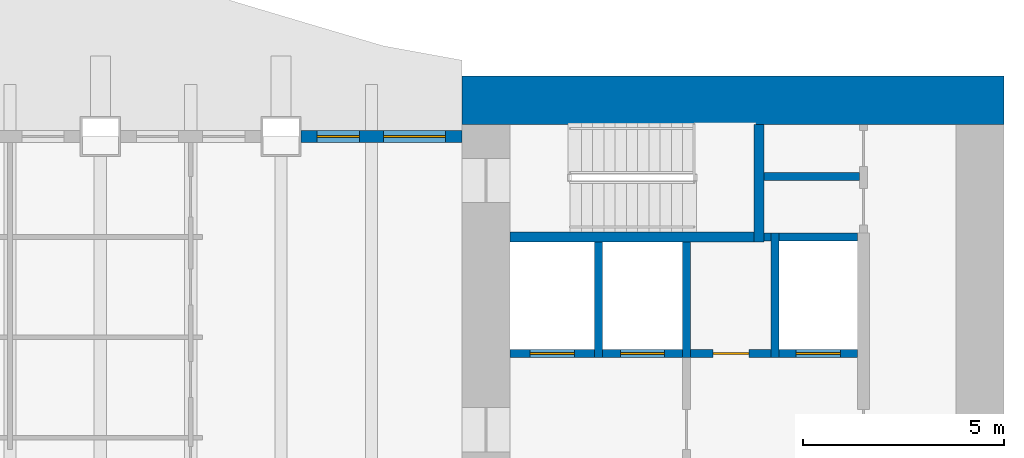
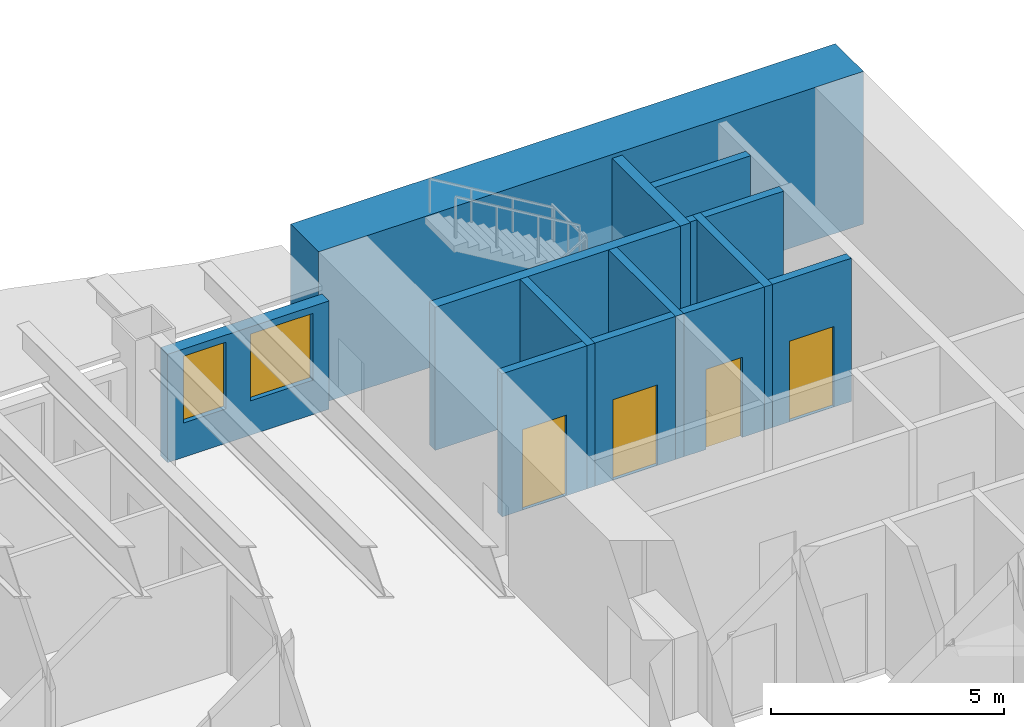
# One storey, part 7 of 16: 14 walls, 4 doors, 2 windows, 6 openings.
"""IFC4 building model written with IfcOpenShell, lengths in metres."""

from ifc_helpers import new_model, si_unit, direction, frame, frame_2d, origin, place, context, subcontext, project, spatial, rectangle, extrude, material, layer, layer_set, type_object, element, fill, save


model = new_model("IFC4")

# Units and contexts
model_context = context("Model", 3, precision=1e-05, world=origin(), true_north=direction((0.0, 1.0)))
body_context = subcontext(model_context, "Body", "Model", "MODEL_VIEW")
ifc_project = project(units=[si_unit("LENGTHUNIT", "METRE"), si_unit("AREAUNIT", "SQUARE_METRE"), si_unit("VOLUMEUNIT", "CUBIC_METRE"), si_unit("PLANEANGLEUNIT", "RADIAN"), si_unit("MASSUNIT", "GRAM", prefix="KILO")], contexts=[model_context])

# Site, building, storey
site_placement = place(None, origin())
site = spatial("IfcSite", under=ifc_project, at=site_placement, CompositionType="ELEMENT")
building_placement = place(site_placement, origin())
building = spatial("IfcBuilding", under=site, at=building_placement, Name="Sennacour Bend Tower", CompositionType="ELEMENT")
storey_placement = place(building_placement, frame((0.0, 0.0, 127.0)))
storey = spatial("IfcBuildingStorey", under=building, at=storey_placement, Name="L29", CompositionType="ELEMENT", Elevation=127.0)

# Wall
ifc_material_1 = material(Name="Concrete C80/95", Category="concrete")
ifc_layer_1 = layer(ifc_material_1, 1.199951171875, Name="Concrete C80/95", Category="concrete")
ifc_layer_set_1 = layer_set([ifc_layer_1], Name="Concrete C80/95")
wall_type_1 = type_object("IfcWallType", Name="Core wall 1200 C80/95", PredefinedType="SHEAR", material=ifc_layer_set_1)
wall_1_placement = place(storey_placement, frame((54.0, 21.89990234375, -0.14990234375), z_axis=(0.0, 0.0, 1.0), x_axis=(1.0, 0.0, 0.0)))
element("IfcWall", 1, at=wall_1_placement, inside=storey, type_object=wall_type_1, Name="Core A wall L29 N", PredefinedType="SHEAR", context=body_context, shape_type="SweptSolid", body=[
    extrude(rectangle(XDim=13.5, YDim=1.199951171875, at=frame_2d((6.75, 0.0))), origin(), (0.0, 0.0, 1.0), 4.0),
])

# Wall, opening, door
ifc_material_2 = material(Name="Fire-rated plasterboard partition on steel studs", Category="steel")
ifc_layer_2 = layer(ifc_material_2, 0.199951171875, Name="Fire-rated plasterboard partition on steel studs", Category="steel")
ifc_layer_set_2 = layer_set([ifc_layer_2], Name="Fire-rated plasterboard partition on steel studs")
wall_type_2 = type_object("IfcWallType", Name="Rated partition 200", PredefinedType="PARTITIONING", material=ifc_layer_set_2)
wall_2_placement = place(storey_placement, frame((59.699951171875, 15.60009765625, 0.0), z_axis=(0.0, 0.0, 1.0), x_axis=(1.0, 0.0, 0.0)))
wall_2 = element("IfcWall", 2, at=wall_2_placement, inside=storey, type_object=wall_type_2, Name="P-L29-W062", PredefinedType="PARTITIONING", context=body_context, shape_type="SweptSolid", body=[
    extrude(rectangle(XDim=2.0, YDim=0.199951171875, at=frame_2d((1.0, 0.0))), origin(), (0.0, 0.0, 1.0), 3.75),
])
opening_1_placement = place(wall_2_placement, frame((0.550048828125, 0.0, 0.0)))
opening_1 = element("IfcOpeningElement", 3, at=opening_1_placement, cuts=wall_2, Name="Opening SV", PredefinedType="OPENING", context=body_context, shape_type="SweptSolid", body=[
    extrude(rectangle(XDim=0.89990234375, YDim=2.10009765625, at=frame_2d((0.449951171875, 1.050048828125))), frame((0.0, 0.10986328125, 0.0), z_axis=(0.0, -1.0, 0.0), x_axis=(1.0, 0.0, 0.0)), (0.0, 0.0, 1.0), 0.219970703125),
])
ifc_material_3 = material(Name="Painted steel", Category="steel")
door_type_1 = type_object("IfcDoorType", Name="DR-SERVICE-900", OperationType="NOTDEFINED", PredefinedType="DOOR", material=ifc_material_3)
door_1_placement = place(opening_1_placement, origin())
door_1 = element("IfcDoor", 4, at=door_1_placement, inside=storey, type_object=door_type_1, Name="Door", OperationType="SINGLE_SWING_RIGHT", OverallHeight=2.10009765625, OverallWidth=0.89990234375, PredefinedType="DOOR", context=body_context, shape_type="SweptSolid", body=[
    extrude(rectangle(XDim=0.89990234375, YDim=2.10009765625, at=frame_2d((0.449951171875, 1.050048828125))), frame((0.0, 0.02490234375, 0.0), z_axis=(0.0, -1.0, 0.0), x_axis=(1.0, 0.0, 0.0)), (0.0, 0.0, 1.0), 0.050048828125),
])
fill(opening_1, door_1)

# Walls
wall_3_placement = place(storey_placement, frame((61.52490234375, 18.5, 0.0), z_axis=(0.0, 0.0, 1.0), x_axis=(1.0, 0.0, 0.0)))
element("IfcWall", 5, at=wall_3_placement, inside=storey, type_object=wall_type_2, Name="P-L29-W067", PredefinedType="PARTITIONING", context=body_context, shape_type="SweptSolid", body=[
    extrude(rectangle(XDim=0.175048828125, YDim=0.199951171875, at=frame_2d((0.08740234375, 0.0))), origin(), (0.0, 0.0, 1.0), 3.75),
])
wall_4_placement = place(storey_placement, frame((61.52490234375, 20.0, 0.0), z_axis=(0.0, 0.0, 1.0), x_axis=(1.0, 0.0, 0.0)))
element("IfcWall", 6, at=wall_4_placement, inside=storey, type_object=wall_type_2, Name="P-L29-W069", PredefinedType="PARTITIONING", context=body_context, shape_type="SweptSolid", body=[
    extrude(rectangle(XDim=2.375, YDim=0.199951171875, at=frame_2d((1.1875, 0.0))), origin(), (0.0, 0.0, 1.0), 3.75),
])

# Wall, openings, windows
ifc_material_4 = material(Name="Warm limestone cladding", Category="masonry")
ifc_layer_3 = layer(ifc_material_4, 0.050048828125, Name="Warm limestone cladding", Category="masonry")
ifc_material_5 = material(Name="Precast concrete C40/50", Category="concrete")
ifc_layer_4 = layer(ifc_material_5, 0.25, Name="Precast concrete C40/50", Category="concrete")
ifc_layer_set_3 = layer_set([ifc_layer_3, ifc_layer_4], Name="Precast concrete C40/50 with limestone cladding")
wall_type_3 = type_object("IfcWallType", Name="STONE-CLAD PRECAST SPANDREL 300", PredefinedType="STANDARD", material=ifc_layer_set_3)
wall_5_placement = place(storey_placement, frame((54.0, 21.0, 0.0), z_axis=(0.0, 0.0, 1.0), x_axis=(-1.0, 0.0, 0.0)))
wall_5 = element("IfcWall", 7, at=wall_5_placement, inside=storey, type_object=wall_type_3, Name="Stone spandrel and pier wall L29 06.00", PredefinedType="STANDARD", context=body_context, shape_type="SweptSolid", body=[
    extrude(rectangle(XDim=4.0, YDim=0.300048828125, at=frame_2d((2.0, 0.0))), origin(), (0.0, 0.0, 1.0), 2.837890625),
])
opening_2_placement = place(wall_5_placement, frame((0.39990234375, 0.0, 0.89990234375)))
opening_2 = element("IfcOpeningElement", 8, at=opening_2_placement, cuts=wall_5, Name="Opening W12", PredefinedType="OPENING", context=body_context, shape_type="SweptSolid", body=[
    extrude(rectangle(XDim=1.550048828125, YDim=1.75, at=frame_2d((0.77490234375, 0.875))), frame((0.0, 0.16015625, 0.0), z_axis=(0.0, -1.0, 0.0), x_axis=(1.0, 0.0, 0.0)), (0.0, 0.0, 1.0), 0.320068359375),
])
opening_3_placement = place(wall_5_placement, frame((2.550048828125, 0.0, 0.89990234375)))
opening_3 = element("IfcOpeningElement", 9, at=opening_3_placement, cuts=wall_5, Name="Opening W15", PredefinedType="OPENING", context=body_context, shape_type="SweptSolid", body=[
    extrude(rectangle(XDim=1.050048828125, YDim=1.75, at=frame_2d((0.52490234375, 0.875))), frame((0.0, 0.16015625, 0.0), z_axis=(0.0, -1.0, 0.0), x_axis=(1.0, 0.0, 0.0)), (0.0, 0.0, 1.0), 0.320068359375),
])
ifc_material_6 = material(Name="Clear low-emissivity glass", Category="glass")
window_type_1 = type_object("IfcWindowType", Name="WIN-RIBBON-1050x1750", PartitioningType="SINGLE_PANEL", PredefinedType="WINDOW", material=ifc_material_6)
window_1_placement = place(opening_3_placement, origin())
window_1 = element("IfcWindow", 10, at=window_1_placement, inside=storey, type_object=window_type_1, Name="Ribbon window L29 06.00.1", OverallHeight=1.75, OverallWidth=1.050048828125, PartitioningType="SINGLE_PANEL", PredefinedType="WINDOW", context=body_context, shape_type="SweptSolid", body=[
    extrude(rectangle(XDim=1.050048828125, YDim=1.75, at=frame_2d((0.52490234375, 0.875))), frame((0.0, 0.030029296875, 0.0), z_axis=(0.0, -1.0, 0.0), x_axis=(1.0, 0.0, 0.0)), (0.0, 0.0, 1.0), 0.06005859375),
])
fill(opening_3, window_1)
window_type_2 = type_object("IfcWindowType", Name="WIN-RIBBON-1550x1750", PartitioningType="SINGLE_PANEL", PredefinedType="WINDOW", material=ifc_material_6)
window_2_placement = place(opening_2_placement, origin())
window_2 = element("IfcWindow", 11, at=window_2_placement, inside=storey, type_object=window_type_2, Name="Ribbon window L29 06.00.0", OverallHeight=1.75, OverallWidth=1.550048828125, PartitioningType="SINGLE_PANEL", PredefinedType="WINDOW", context=body_context, shape_type="SweptSolid", body=[
    extrude(rectangle(XDim=1.550048828125, YDim=1.75, at=frame_2d((0.77490234375, 0.875))), frame((0.0, 0.030029296875, 0.0), z_axis=(0.0, -1.0, 0.0), x_axis=(1.0, 0.0, 0.0)), (0.0, 0.0, 1.0), 0.06005859375),
])
fill(opening_2, window_2)

# Walls
ifc_material_7 = material(Name="Concrete C50/60", Category="concrete")
ifc_layer_5 = layer(ifc_material_7, 0.199951171875, Name="Concrete C50/60", Category="concrete")
ifc_layer_set_4 = layer_set([ifc_layer_5], Name="Concrete C50/60")
wall_type_4 = type_object("IfcWallType", Name="Shaft wall 200", PredefinedType="SOLIDWALL", material=ifc_layer_set_4)
for number, where, z_axis, x_axis, name in (
    (12, (57.39990234375, 15.5, 0.0), (0.0, 0.0, 1.0), (0.0, 1.0, 0.0), "P-L29-W036"),
    (13, (59.60009765625, 15.5, 0.0), (0.0, 0.0, 1.0), (0.0, 1.0, 0.0), "P-L29-W039"),
):
    element("IfcWall", number, at=place(storey_placement, frame(where, z_axis=z_axis, x_axis=x_axis)), inside=storey, type_object=wall_type_4, Name=name, PredefinedType="SOLIDWALL", context=body_context, shape_type="SweptSolid", body=[
        extrude(rectangle(XDim=2.875, YDim=0.199951171875, at=frame_2d((1.4375, 0.0))), origin(), (0.0, 0.0, 1.0), 3.75),
    ])
wall_6_placement = place(storey_placement, frame((61.800048828125, 15.5, 0.0), z_axis=(0.0, 0.0, 1.0), x_axis=(0.0, 1.0, 0.0)))
element("IfcWall", 14, at=wall_6_placement, inside=storey, type_object=wall_type_4, Name="P-L29-W044", PredefinedType="SOLIDWALL", context=body_context, shape_type="SweptSolid", body=[
    extrude(rectangle(XDim=3.10009765625, YDim=0.199951171875, at=frame_2d((1.550048828125, 0.0))), origin(), (0.0, 0.0, 1.0), 3.75),
])

# Wall, opening, door
wall_7_placement = place(storey_placement, frame((55.199951171875, 15.60009765625, 0.0), z_axis=(0.0, 0.0, 1.0), x_axis=(1.0, 0.0, 0.0)))
wall_7 = element("IfcWall", 15, at=wall_7_placement, inside=storey, type_object=wall_type_4, Name="P-L29-W061a", PredefinedType="SOLIDWALL", context=body_context, shape_type="SweptSolid", body=[
    extrude(rectangle(XDim=2.10009765625, YDim=0.199951171875, at=frame_2d((1.050048828125, 0.0))), origin(), (0.0, 0.0, 1.0), 3.75),
])
opening_4_placement = place(wall_7_placement, frame((0.5, 0.0, 0.011962890625)))
opening_4 = element("IfcOpeningElement", 16, at=opening_4_placement, cuts=wall_7, Name="Opening FLD", PredefinedType="OPENING", context=body_context, shape_type="SweptSolid", body=[
    extrude(rectangle(XDim=1.10009765625, YDim=2.10009765625, at=frame_2d((0.550048828125, 1.050048828125))), frame((0.0, 0.10986328125, 0.0), z_axis=(0.0, -1.0, 0.0), x_axis=(1.0, 0.0, 0.0)), (0.0, 0.0, 1.0), 0.219970703125),
])
ifc_material_8 = material(Name="Stainless steel", Category="steel")
door_type_2 = type_object("IfcDoorType", Name="DR-FF-LANDING-1100", OperationType="NOTDEFINED", PredefinedType="DOOR", material=ifc_material_8)
door_2_placement = place(opening_4_placement, origin())
door_2 = element("IfcDoor", 17, at=door_2_placement, inside=storey, type_object=door_type_2, Name="Fire service lift landing door FA1", OperationType="SLIDING_TO_LEFT", OverallHeight=2.10009765625, OverallWidth=1.10009765625, PredefinedType="DOOR", context=body_context, shape_type="SweptSolid", body=[
    extrude(rectangle(XDim=1.10009765625, YDim=2.10009765625, at=frame_2d((0.550048828125, 1.050048828125))), frame((0.0, 0.02490234375, 0.0), z_axis=(0.0, -1.0, 0.0), x_axis=(1.0, 0.0, 0.0)), (0.0, 0.0, 1.0), 0.050048828125),
])
fill(opening_4, door_2)

wall_8_placement = place(storey_placement, frame((57.5, 15.60009765625, 0.0), z_axis=(0.0, 0.0, 1.0), x_axis=(1.0, 0.0, 0.0)))
wall_8 = element("IfcWall", 18, at=wall_8_placement, inside=storey, type_object=wall_type_4, Name="P-L29-W061b", PredefinedType="SOLIDWALL", context=body_context, shape_type="SweptSolid", body=[
    extrude(rectangle(XDim=2.0, YDim=0.199951171875, at=frame_2d((1.0, 0.0))), origin(), (0.0, 0.0, 1.0), 3.75),
])
opening_5_placement = place(wall_8_placement, frame((0.449951171875, 0.0, 0.011962890625)))
opening_5 = element("IfcOpeningElement", 19, at=opening_5_placement, cuts=wall_8, Name="Opening FLD", PredefinedType="OPENING", context=body_context, shape_type="SweptSolid", body=[
    extrude(rectangle(XDim=1.10009765625, YDim=2.10009765625, at=frame_2d((0.550048828125, 1.050048828125))), frame((0.0, 0.10986328125, 0.0), z_axis=(0.0, -1.0, 0.0), x_axis=(1.0, 0.0, 0.0)), (0.0, 0.0, 1.0), 0.219970703125),
])
door_3_placement = place(opening_5_placement, origin())
door_3 = element("IfcDoor", 20, at=door_3_placement, inside=storey, type_object=door_type_2, Name="Fire service lift landing door FA2", OperationType="SLIDING_TO_RIGHT", OverallHeight=2.10009765625, OverallWidth=1.10009765625, PredefinedType="DOOR", context=body_context, shape_type="SweptSolid", body=[
    extrude(rectangle(XDim=1.10009765625, YDim=2.10009765625, at=frame_2d((0.550048828125, 1.050048828125))), frame((0.0, 0.02490234375, 0.0), z_axis=(0.0, -1.0, 0.0), x_axis=(1.0, 0.0, 0.0)), (0.0, 0.0, 1.0), 0.050048828125),
])
fill(opening_5, door_3)

wall_9_placement = place(storey_placement, frame((61.89990234375, 15.60009765625, 0.0), z_axis=(0.0, 0.0, 1.0), x_axis=(1.0, 0.0, 0.0)))
wall_9 = element("IfcWall", 21, at=wall_9_placement, inside=storey, type_object=wall_type_4, Name="P-L29-W063", PredefinedType="SOLIDWALL", context=body_context, shape_type="SweptSolid", body=[
    extrude(rectangle(XDim=1.9501953125, YDim=0.199951171875, at=frame_2d((0.97509765625, 0.0))), origin(), (0.0, 0.0, 1.0), 3.75),
])
opening_6_placement = place(wall_9_placement, frame((0.425048828125, 0.0, 0.011962890625)))
opening_6 = element("IfcOpeningElement", 22, at=opening_6_placement, cuts=wall_9, Name="Opening LD", PredefinedType="OPENING", context=body_context, shape_type="SweptSolid", body=[
    extrude(rectangle(XDim=1.10009765625, YDim=2.10009765625, at=frame_2d((0.550048828125, 1.050048828125))), frame((0.0, 0.10986328125, 0.0), z_axis=(0.0, -1.0, 0.0), x_axis=(1.0, 0.0, 0.0)), (0.0, 0.0, 1.0), 0.219970703125),
])
door_type_3 = type_object("IfcDoorType", Name="DR-LANDING-1100", OperationType="NOTDEFINED", PredefinedType="DOOR", material=ifc_material_8)
door_4_placement = place(opening_6_placement, origin())
door_4 = element("IfcDoor", 23, at=door_4_placement, inside=storey, type_object=door_type_3, Name="Lift landing door LA5", OperationType="SLIDING_TO_LEFT", OverallHeight=2.10009765625, OverallWidth=1.10009765625, PredefinedType="DOOR", context=body_context, shape_type="SweptSolid", body=[
    extrude(rectangle(XDim=1.10009765625, YDim=2.10009765625, at=frame_2d((0.550048828125, 1.050048828125))), frame((0.0, 0.02490234375, 0.0), z_axis=(0.0, -1.0, 0.0), x_axis=(1.0, 0.0, 0.0)), (0.0, 0.0, 1.0), 0.050048828125),
])
fill(opening_6, door_4)

# Walls
wall_10_placement = place(storey_placement, frame((61.89990234375, 18.5, 0.0), z_axis=(0.0, 0.0, 1.0), x_axis=(1.0, 0.0, 0.0)))
element("IfcWall", 24, at=wall_10_placement, inside=storey, type_object=wall_type_4, Name="P-L29-W068", PredefinedType="SOLIDWALL", context=body_context, shape_type="SweptSolid", body=[
    extrude(rectangle(XDim=1.9501953125, YDim=0.199951171875, at=frame_2d((0.97509765625, 0.0))), origin(), (0.0, 0.0, 1.0), 3.75),
])
ifc_material_9 = material(Name="Concrete C60/75", Category="concrete")
ifc_layer_6 = layer(ifc_material_9, 0.25, Name="Concrete C60/75", Category="concrete")
ifc_layer_set_5 = layer_set([ifc_layer_6], Name="Concrete C60/75")
wall_type_5 = type_object("IfcWallType", Name="Stair wall 250", PredefinedType="SHEAR", material=ifc_layer_set_5)
wall_11_placement = place(storey_placement, frame((61.39990234375, 18.375, 0.0), z_axis=(0.0, 0.0, 1.0), x_axis=(0.0, 1.0, 0.0)))
element("IfcWall", 25, at=wall_11_placement, inside=storey, type_object=wall_type_5, Name="P-L29-W041", PredefinedType="SHEAR", context=body_context, shape_type="SweptSolid", body=[
    extrude(rectangle(XDim=2.925048828125, YDim=0.25, at=frame_2d((1.46240234375, 0.0))), origin(), (0.0, 0.0, 1.0), 3.75),
])
wall_12_placement = place(storey_placement, frame((55.199951171875, 18.5, 0.0), z_axis=(0.0, 0.0, 1.0), x_axis=(1.0, 0.0, 0.0)))
element("IfcWall", 26, at=wall_12_placement, inside=storey, type_object=wall_type_5, Name="P-L29-W066", PredefinedType="SHEAR", context=body_context, shape_type="SweptSolid", body=[
    extrude(rectangle(XDim=6.074951171875, YDim=0.25, at=frame_2d((3.03759765625, 0.0))), origin(), (0.0, 0.0, 1.0), 3.75),
])

save(model, "model.ifc")
